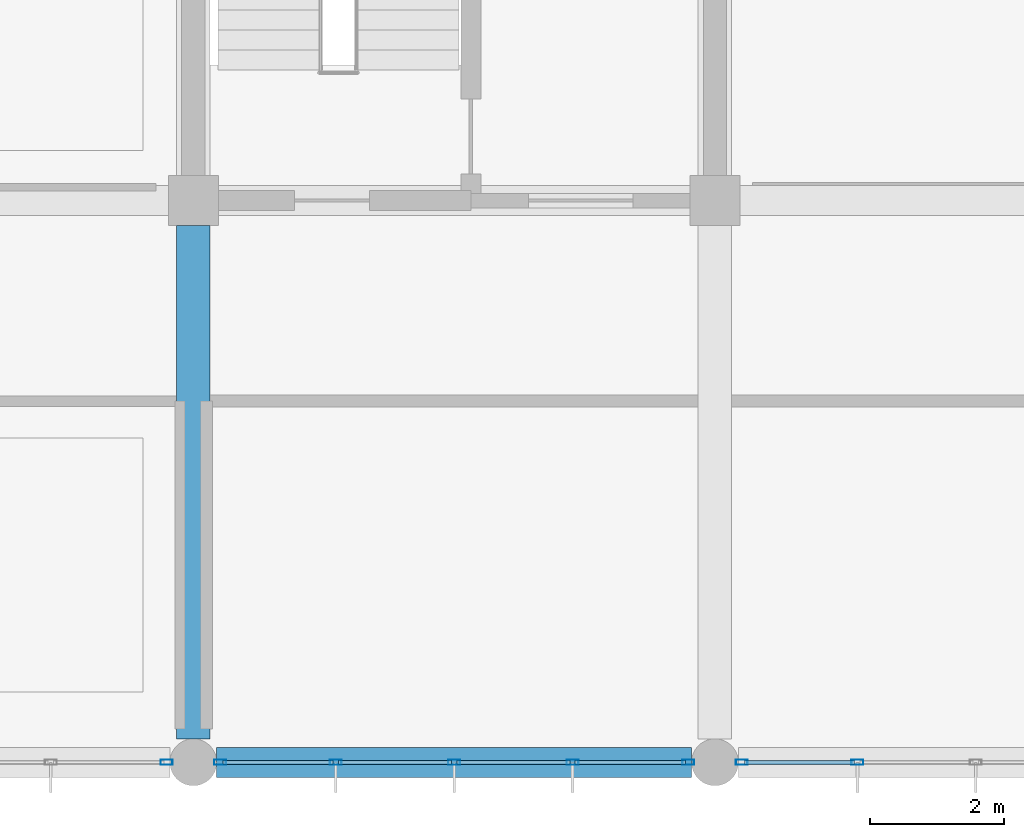
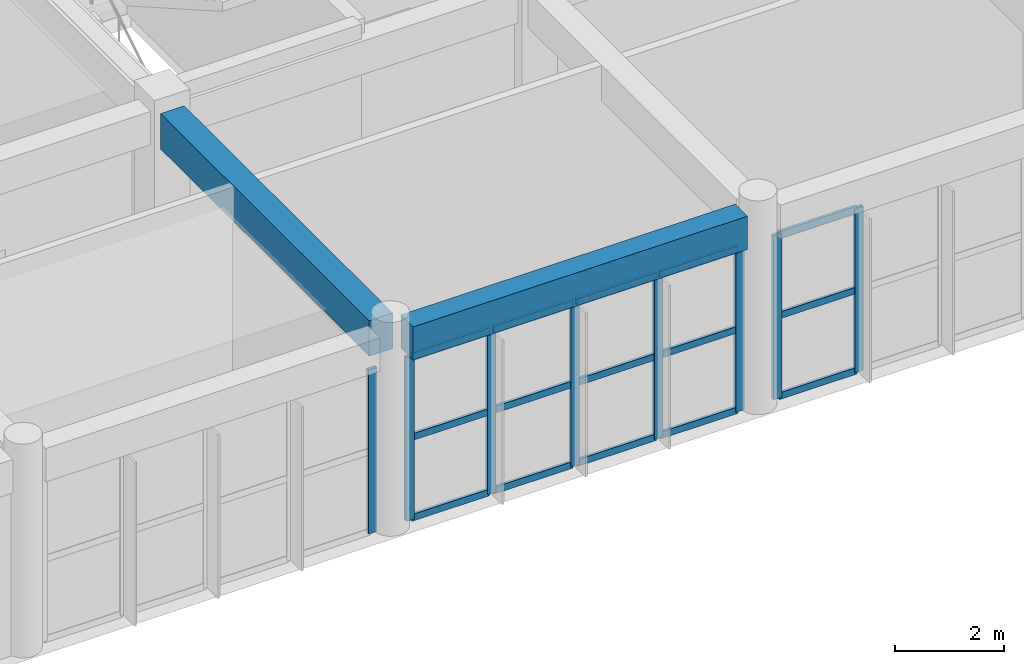
# One storey, part 34 of 175: 23 members, 2 beams, 3 elements without a shape of their own.
"""IFC4 building model written with IfcOpenShell, lengths in metres."""

from ifc_helpers import new_model, si_unit, direction, frame, origin, origin_2d, place, context, subcontext, project, spatial, rectangle, hollow_rectangle, extrude, material, layer, layer_set, material_profile, profile_set, type_object, element, aggregate, save


model = new_model("IFC4")

# Units and contexts
model_context = context("Model", 3, precision=1e-05, world=origin(), true_north=direction((0.0, 1.0)))
body_context = subcontext(model_context, "Body", "Model", "MODEL_VIEW")
ifc_project = project(units=[si_unit("LENGTHUNIT", "METRE"), si_unit("AREAUNIT", "SQUARE_METRE"), si_unit("VOLUMEUNIT", "CUBIC_METRE"), si_unit("PLANEANGLEUNIT", "RADIAN"), si_unit("MASSUNIT", "GRAM", prefix="KILO")], contexts=[model_context])

# Site, building, storey
site_placement = place(None, origin())
site = spatial("IfcSite", under=ifc_project, at=site_placement, CompositionType="ELEMENT")
building_placement = place(site_placement, origin())
building = spatial("IfcBuilding", under=site, at=building_placement, Name="Zizhar Promenade General Hospital", CompositionType="ELEMENT")
storey_placement = place(building_placement, frame((0.0, 0.0, 4.800048828125)))
storey = spatial("IfcBuildingStorey", under=building, at=storey_placement, Name="L01", CompositionType="ELEMENT", Elevation=4.800048828125)

# Beams
ifc_material_1 = material(Name="Concrete C35/45", Category="concrete")
ifc_material_profile_1 = material_profile(ifc_material_1, rectangle(XDim=0.449951171875, YDim=0.75, at=origin_2d()))
ifc_profile_set_1 = profile_set([ifc_material_profile_1], Name="Concrete C35/45")
beam_type_1 = type_object("IfcBeamType", Name="BM-RC-450x750", PredefinedType="BEAM", material=ifc_profile_set_1)
beam_1_placement = place(storey_placement, frame((93.949951171875, 0.0, 4.094970703125), z_axis=(1.0, 0.0, 0.0), x_axis=(0.0, 1.0, 0.0)))
element("IfcBeam", 1, at=beam_1_placement, inside=storey, type_object=beam_type_1, Name="Grid Beam X L01 (12-0)", PredefinedType="BEAM", context=body_context, shape_type="SweptSolid", body=[
    extrude(rectangle(XDim=0.449951171875, YDim=0.75, at=origin_2d()), origin(), (0.0, 0.0, 1.0), 7.10009765625),
])
ifc_material_2 = material(Name="Concrete C35/45", Category="concrete")
ifc_material_profile_2 = material_profile(ifc_material_2, rectangle(XDim=0.5, YDim=0.800048828125, at=origin_2d()))
ifc_profile_set_2 = profile_set([ifc_material_profile_2], Name="Concrete C35/45")
beam_type_2 = type_object("IfcBeamType", Name="BM-RC-500x800", PredefinedType="BEAM", material=ifc_profile_set_2)
beam_2_placement = place(storey_placement, frame((93.60009765625, 0.35009765625, 4.070068359375), z_axis=(0.0, 1.0, 0.0), x_axis=(-1.0, 0.0, 0.0)))
element("IfcBeam", 2, at=beam_2_placement, inside=storey, type_object=beam_type_2, Name="Grid Beam Y L01 (12-0)", PredefinedType="BEAM", context=body_context, shape_type="SweptSolid", body=[
    extrude(rectangle(XDim=0.5, YDim=0.800048828125, at=origin_2d()), origin(), (0.0, 0.0, 1.0), 7.6748046875),
])

# Curtain wall, member
ifc_material_3 = material(Name="Anodised aluminium 6063-T6 and low-E glass", Category="aluminium")
ifc_layer = layer(ifc_material_3, 0.159912109375)
ifc_layer_set = layer_set([ifc_layer], Name="Anodised aluminium 6063-T6 and low-E glass")
curtain_wall_type = type_object("IfcCurtainWallType", Name="CW-DT-MOD1", PredefinedType="NOTDEFINED", material=ifc_layer_set)
curtain_wall_1_placement = place(storey_placement, origin())
curtain_wall_1 = element("IfcCurtainWall", 3, at=curtain_wall_1_placement, inside=storey, type_object=curtain_wall_type, Name="Riverfront Clinical Curtain Wall L01-10", PredefinedType="NOTDEFINED")
ifc_material_4 = material(Name="Anodised aluminium 6063-T6", Category="aluminium")
ifc_material_profile_3 = material_profile(ifc_material_4, hollow_rectangle(XDim=0.080078125, YDim=0.179931640625, WallThickness=0.0048828125, at=origin_2d()))
ifc_profile_set_3 = profile_set([ifc_material_profile_3], Name="Anodised aluminium 6063-T6")
member_type_1 = type_object("IfcMemberType", Name="CWM-ALU-180x80", PredefinedType="MULLION", material=ifc_profile_set_3)
member_1_placement = place(storey_placement, frame((93.199951171875, 0.0, 0.0), z_axis=(0.0, 0.0, 1.0), x_axis=(0.0, -1.0, 0.0)))
member_1 = element("IfcMember", 4, at=member_1_placement, type_object=member_type_1, Name="CW-07 mullion 1", PredefinedType="MULLION", context=body_context, shape_type="SweptSolid", body=[
    extrude(hollow_rectangle(XDim=0.080078125, YDim=0.179931640625, WallThickness=0.0048828125, at=origin_2d()), origin(), (0.0, 0.0, 1.0), 3.679931640625),
])
aggregate(curtain_wall_1, [member_1])

# Curtain wall, members
curtain_wall_2_placement = place(storey_placement, origin())
curtain_wall_2 = element("IfcCurtainWall", 5, at=curtain_wall_2_placement, inside=storey, type_object=curtain_wall_type, Name="Riverfront Clinical Curtain Wall L01-11", PredefinedType="NOTDEFINED")
member_2_placement = place(storey_placement, frame((101.0, 0.0, 0.0), z_axis=(0.0, 0.0, 1.0), x_axis=(0.0, -1.0, 0.0)))
member_2 = element("IfcMember", 6, at=member_2_placement, type_object=member_type_1, Name="CW-07 mullion 1", PredefinedType="MULLION", context=body_context, shape_type="SweptSolid", body=[
    extrude(hollow_rectangle(XDim=0.080078125, YDim=0.179931640625, WallThickness=0.0048828125, at=origin_2d()), origin(), (0.0, 0.0, 1.0), 3.679931640625),
])
member_3_placement = place(storey_placement, frame((99.27001953125, 0.0, 0.0), z_axis=(0.0, 0.0, 1.0), x_axis=(0.0, -1.0, 0.0)))
member_3 = element("IfcMember", 7, at=member_3_placement, type_object=member_type_1, Name="CW-07 mullion 2", PredefinedType="MULLION", context=body_context, shape_type="SweptSolid", body=[
    extrude(hollow_rectangle(XDim=0.080078125, YDim=0.179931640625, WallThickness=0.0048828125, at=origin_2d()), origin(), (0.0, 0.0, 1.0), 3.679931640625),
])
member_4_placement = place(storey_placement, frame((97.5, 0.0, 0.0), z_axis=(0.0, 0.0, 1.0), x_axis=(0.0, -1.0, 0.0)))
member_4 = element("IfcMember", 8, at=member_4_placement, type_object=member_type_1, Name="CW-07 mullion 3", PredefinedType="MULLION", context=body_context, shape_type="SweptSolid", body=[
    extrude(hollow_rectangle(XDim=0.080078125, YDim=0.179931640625, WallThickness=0.0048828125, at=origin_2d()), origin(), (0.0, 0.0, 1.0), 3.679931640625),
])
member_5_placement = place(storey_placement, frame((95.72998046875, 0.0, 0.0), z_axis=(0.0, 0.0, 1.0), x_axis=(0.0, -1.0, 0.0)))
member_5 = element("IfcMember", 9, at=member_5_placement, type_object=member_type_1, Name="CW-07 mullion 4", PredefinedType="MULLION", context=body_context, shape_type="SweptSolid", body=[
    extrude(hollow_rectangle(XDim=0.080078125, YDim=0.179931640625, WallThickness=0.0048828125, at=origin_2d()), origin(), (0.0, 0.0, 1.0), 3.679931640625),
])
member_6_placement = place(storey_placement, frame((94.0, 0.0, 0.0), z_axis=(0.0, 0.0, 1.0), x_axis=(0.0, -1.0, 0.0)))
member_6 = element("IfcMember", 10, at=member_6_placement, type_object=member_type_1, Name="CW-07 mullion 5", PredefinedType="MULLION", context=body_context, shape_type="SweptSolid", body=[
    extrude(hollow_rectangle(XDim=0.080078125, YDim=0.179931640625, WallThickness=0.0048828125, at=origin_2d()), origin(), (0.0, 0.0, 1.0), 3.679931640625),
])

curtain_wall_3_placement = place(storey_placement, origin())
curtain_wall_3 = element("IfcCurtainWall", 11, at=curtain_wall_3_placement, inside=storey, type_object=curtain_wall_type, Name="Riverfront Clinical Curtain Wall L01-12", PredefinedType="NOTDEFINED")
member_7_placement = place(storey_placement, frame((103.530029296875, 0.0, 0.0), z_axis=(0.0, 0.0, 1.0), x_axis=(0.0, -1.0, 0.0)))
member_7 = element("IfcMember", 12, at=member_7_placement, type_object=member_type_1, Name="CW-07 mullion 4", PredefinedType="MULLION", context=body_context, shape_type="SweptSolid", body=[
    extrude(hollow_rectangle(XDim=0.080078125, YDim=0.179931640625, WallThickness=0.0048828125, at=origin_2d()), origin(), (0.0, 0.0, 1.0), 3.679931640625),
])
member_8_placement = place(storey_placement, frame((101.800048828125, 0.0, 0.0), z_axis=(0.0, 0.0, 1.0), x_axis=(0.0, -1.0, 0.0)))
member_8 = element("IfcMember", 13, at=member_8_placement, type_object=member_type_1, Name="CW-07 mullion 5", PredefinedType="MULLION", context=body_context, shape_type="SweptSolid", body=[
    extrude(hollow_rectangle(XDim=0.080078125, YDim=0.179931640625, WallThickness=0.0048828125, at=origin_2d()), origin(), (0.0, 0.0, 1.0), 3.679931640625),
])

# Member
ifc_material_5 = material(Name="Anodised aluminium 6063-T6", Category="aluminium")
ifc_material_profile_4 = material_profile(ifc_material_5, hollow_rectangle(XDim=0.06005859375, YDim=0.14990234375, WallThickness=0.00390625, at=origin_2d()))
ifc_profile_set_4 = profile_set([ifc_material_profile_4], Name="Anodised aluminium 6063-T6")
member_type_2 = type_object("IfcMemberType", Name="CWT-ALU-150x60", PredefinedType="USERDEFINED", material=ifc_profile_set_4)
member_9_placement = place(storey_placement, frame((100.9599609375, 0.0, 0.030029296875), z_axis=(-1.0, 0.0, 0.0), x_axis=(0.0, -1.0, 0.0)))
member_9 = element("IfcMember", 14, at=member_9_placement, type_object=member_type_2, Name="CW-07 transom 1.1", ObjectType="TRANSOM", PredefinedType="USERDEFINED", context=body_context, shape_type="SweptSolid", body=[
    extrude(hollow_rectangle(XDim=0.06005859375, YDim=0.14990234375, WallThickness=0.00390625, at=origin_2d()), origin(), (0.0, 0.0, 1.0), 1.64990234375),
])

member_10_placement = place(storey_placement, frame((100.9599609375, 0.0, 1.83984375), z_axis=(-1.0, 0.0, 0.0), x_axis=(0.0, -1.0, 0.0)))
member_10 = element("IfcMember", 15, at=member_10_placement, type_object=member_type_2, Name="CW-07 transom 1.2", ObjectType="TRANSOM", PredefinedType="USERDEFINED", context=body_context, shape_type="SweptSolid", body=[
    extrude(hollow_rectangle(XDim=0.06005859375, YDim=0.14990234375, WallThickness=0.00390625, at=origin_2d()), origin(), (0.0, 0.0, 1.0), 1.64990234375),
])

member_11_placement = place(storey_placement, frame((100.9599609375, 0.0, 3.64990234375), z_axis=(-1.0, 0.0, 0.0), x_axis=(0.0, -1.0, 0.0)))
member_11 = element("IfcMember", 16, at=member_11_placement, type_object=member_type_2, Name="CW-07 transom 1.3", ObjectType="TRANSOM", PredefinedType="USERDEFINED", context=body_context, shape_type="SweptSolid", body=[
    extrude(hollow_rectangle(XDim=0.06005859375, YDim=0.14990234375, WallThickness=0.00390625, at=origin_2d()), origin(), (0.0, 0.0, 1.0), 1.64990234375),
])

member_12_placement = place(storey_placement, frame((99.22998046875, 0.0, 0.030029296875), z_axis=(-1.0, 0.0, 0.0), x_axis=(0.0, -1.0, 0.0)))
member_12 = element("IfcMember", 17, at=member_12_placement, type_object=member_type_2, Name="CW-07 transom 2.1", ObjectType="TRANSOM", PredefinedType="USERDEFINED", context=body_context, shape_type="SweptSolid", body=[
    extrude(hollow_rectangle(XDim=0.06005859375, YDim=0.14990234375, WallThickness=0.00390625, at=origin_2d()), origin(), (0.0, 0.0, 1.0), 1.68994140625),
])

member_13_placement = place(storey_placement, frame((99.22998046875, 0.0, 1.83984375), z_axis=(-1.0, 0.0, 0.0), x_axis=(0.0, -1.0, 0.0)))
member_13 = element("IfcMember", 18, at=member_13_placement, type_object=member_type_2, Name="CW-07 transom 2.2", ObjectType="TRANSOM", PredefinedType="USERDEFINED", context=body_context, shape_type="SweptSolid", body=[
    extrude(hollow_rectangle(XDim=0.06005859375, YDim=0.14990234375, WallThickness=0.00390625, at=origin_2d()), origin(), (0.0, 0.0, 1.0), 1.68994140625),
])

member_14_placement = place(storey_placement, frame((99.22998046875, 0.0, 3.64990234375), z_axis=(-1.0, 0.0, 0.0), x_axis=(0.0, -1.0, 0.0)))
member_14 = element("IfcMember", 19, at=member_14_placement, type_object=member_type_2, Name="CW-07 transom 2.3", ObjectType="TRANSOM", PredefinedType="USERDEFINED", context=body_context, shape_type="SweptSolid", body=[
    extrude(hollow_rectangle(XDim=0.06005859375, YDim=0.14990234375, WallThickness=0.00390625, at=origin_2d()), origin(), (0.0, 0.0, 1.0), 1.68994140625),
])

member_15_placement = place(storey_placement, frame((97.4599609375, 0.0, 0.030029296875), z_axis=(-1.0, 0.0, 0.0), x_axis=(0.0, -1.0, 0.0)))
member_15 = element("IfcMember", 20, at=member_15_placement, type_object=member_type_2, Name="CW-07 transom 3.1", ObjectType="TRANSOM", PredefinedType="USERDEFINED", context=body_context, shape_type="SweptSolid", body=[
    extrude(hollow_rectangle(XDim=0.06005859375, YDim=0.14990234375, WallThickness=0.00390625, at=origin_2d()), origin(), (0.0, 0.0, 1.0), 1.68994140625),
])

member_16_placement = place(storey_placement, frame((97.4599609375, 0.0, 1.83984375), z_axis=(-1.0, 0.0, 0.0), x_axis=(0.0, -1.0, 0.0)))
member_16 = element("IfcMember", 21, at=member_16_placement, type_object=member_type_2, Name="CW-07 transom 3.2", ObjectType="TRANSOM", PredefinedType="USERDEFINED", context=body_context, shape_type="SweptSolid", body=[
    extrude(hollow_rectangle(XDim=0.06005859375, YDim=0.14990234375, WallThickness=0.00390625, at=origin_2d()), origin(), (0.0, 0.0, 1.0), 1.68994140625),
])

member_17_placement = place(storey_placement, frame((97.4599609375, 0.0, 3.64990234375), z_axis=(-1.0, 0.0, 0.0), x_axis=(0.0, -1.0, 0.0)))
member_17 = element("IfcMember", 22, at=member_17_placement, type_object=member_type_2, Name="CW-07 transom 3.3", ObjectType="TRANSOM", PredefinedType="USERDEFINED", context=body_context, shape_type="SweptSolid", body=[
    extrude(hollow_rectangle(XDim=0.06005859375, YDim=0.14990234375, WallThickness=0.00390625, at=origin_2d()), origin(), (0.0, 0.0, 1.0), 1.68994140625),
])

member_18_placement = place(storey_placement, frame((95.68994140625, 0.0, 0.030029296875), z_axis=(-1.0, 0.0, 0.0), x_axis=(0.0, -1.0, 0.0)))
member_18 = element("IfcMember", 23, at=member_18_placement, type_object=member_type_2, Name="CW-07 transom 4.1", ObjectType="TRANSOM", PredefinedType="USERDEFINED", context=body_context, shape_type="SweptSolid", body=[
    extrude(hollow_rectangle(XDim=0.06005859375, YDim=0.14990234375, WallThickness=0.00390625, at=origin_2d()), origin(), (0.0, 0.0, 1.0), 1.64990234375),
])

member_19_placement = place(storey_placement, frame((95.68994140625, 0.0, 1.83984375), z_axis=(-1.0, 0.0, 0.0), x_axis=(0.0, -1.0, 0.0)))
member_19 = element("IfcMember", 24, at=member_19_placement, type_object=member_type_2, Name="CW-07 transom 4.2", ObjectType="TRANSOM", PredefinedType="USERDEFINED", context=body_context, shape_type="SweptSolid", body=[
    extrude(hollow_rectangle(XDim=0.06005859375, YDim=0.14990234375, WallThickness=0.00390625, at=origin_2d()), origin(), (0.0, 0.0, 1.0), 1.64990234375),
])

member_20_placement = place(storey_placement, frame((95.68994140625, 0.0, 3.64990234375), z_axis=(-1.0, 0.0, 0.0), x_axis=(0.0, -1.0, 0.0)))
member_20 = element("IfcMember", 25, at=member_20_placement, type_object=member_type_2, Name="CW-07 transom 4.3", ObjectType="TRANSOM", PredefinedType="USERDEFINED", context=body_context, shape_type="SweptSolid", body=[
    extrude(hollow_rectangle(XDim=0.06005859375, YDim=0.14990234375, WallThickness=0.00390625, at=origin_2d()), origin(), (0.0, 0.0, 1.0), 1.64990234375),
])

aggregate(curtain_wall_2, [member_2, member_3, member_4, member_5, member_6, member_9, member_10, member_11, member_12, member_13, member_14, member_15, member_16, member_17, member_18, member_19, member_20])

member_21_placement = place(storey_placement, frame((103.489990234375, 0.0, 0.030029296875), z_axis=(-1.0, 0.0, 0.0), x_axis=(0.0, -1.0, 0.0)))
member_21 = element("IfcMember", 26, at=member_21_placement, type_object=member_type_2, Name="CW-07 transom 4.1", ObjectType="TRANSOM", PredefinedType="USERDEFINED", context=body_context, shape_type="SweptSolid", body=[
    extrude(hollow_rectangle(XDim=0.06005859375, YDim=0.14990234375, WallThickness=0.00390625, at=origin_2d()), origin(), (0.0, 0.0, 1.0), 1.64990234375),
])

member_22_placement = place(storey_placement, frame((103.489990234375, 0.0, 1.83984375), z_axis=(-1.0, 0.0, 0.0), x_axis=(0.0, -1.0, 0.0)))
member_22 = element("IfcMember", 27, at=member_22_placement, type_object=member_type_2, Name="CW-07 transom 4.2", ObjectType="TRANSOM", PredefinedType="USERDEFINED", context=body_context, shape_type="SweptSolid", body=[
    extrude(hollow_rectangle(XDim=0.06005859375, YDim=0.14990234375, WallThickness=0.00390625, at=origin_2d()), origin(), (0.0, 0.0, 1.0), 1.64990234375),
])

member_23_placement = place(storey_placement, frame((103.489990234375, 0.0, 3.64990234375), z_axis=(-1.0, 0.0, 0.0), x_axis=(0.0, -1.0, 0.0)))
member_23 = element("IfcMember", 28, at=member_23_placement, type_object=member_type_2, Name="CW-07 transom 4.3", ObjectType="TRANSOM", PredefinedType="USERDEFINED", context=body_context, shape_type="SweptSolid", body=[
    extrude(hollow_rectangle(XDim=0.06005859375, YDim=0.14990234375, WallThickness=0.00390625, at=origin_2d()), origin(), (0.0, 0.0, 1.0), 1.64990234375),
])

aggregate(curtain_wall_3, [member_7, member_8, member_21, member_22, member_23])

save(model, "model.ifc")
